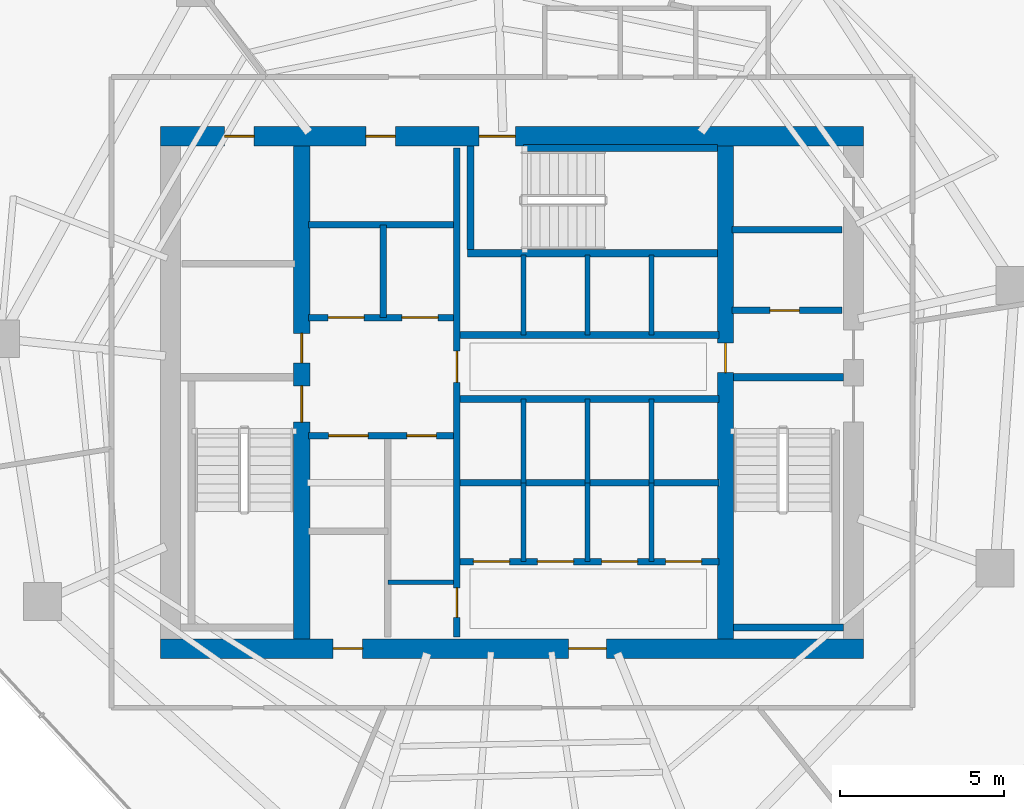
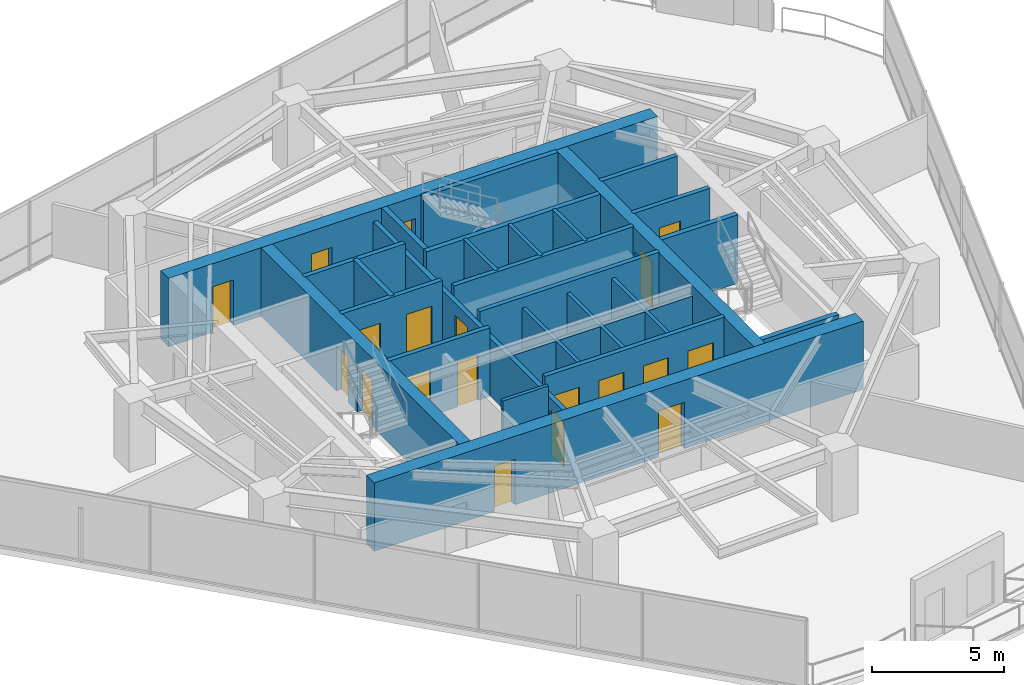
# One storey, part 19 of 23: 30 walls, 19 doors, 19 openings.
"""IFC4 building model written with IfcOpenShell, lengths in metres."""

from ifc_helpers import new_model, si_unit, direction, frame, frame_2d, origin, place, context, subcontext, project, spatial, rectangle, extrude, material, layer, layer_set, type_object, element, fill, save


model = new_model("IFC4")

# Units and contexts
model_context = context("Model", 3, precision=1e-05, world=origin(), true_north=direction((0.0, 1.0)))
body_context = subcontext(model_context, "Body", "Model", "MODEL_VIEW")
ifc_project = project(units=[si_unit("LENGTHUNIT", "METRE"), si_unit("AREAUNIT", "SQUARE_METRE"), si_unit("VOLUMEUNIT", "CUBIC_METRE"), si_unit("PLANEANGLEUNIT", "RADIAN"), si_unit("MASSUNIT", "GRAM", prefix="KILO")], contexts=[model_context])

# Site, building, storey
site_placement = place(None, origin())
site = spatial("IfcSite", under=ifc_project, at=site_placement, CompositionType="ELEMENT")
building_placement = place(site_placement, origin())
building = spatial("IfcBuilding", under=site, at=building_placement, Name="Qarnah Convention Tower", CompositionType="ELEMENT")
storey_placement = place(building_placement, frame((0.0, 0.0, 114.300048828125)))
storey = spatial("IfcBuildingStorey", under=building, at=storey_placement, Name="L30", CompositionType="ELEMENT", Elevation=114.300048828125)

# Wall, openings, doors
ifc_material_1 = material(Name="Concrete C60/75", Category="concrete")
ifc_layer_1 = layer(ifc_material_1, 0.60009765625)
ifc_layer_set_1 = layer_set([ifc_layer_1], Name="Concrete C60/75")
wall_type_1 = type_object("IfcWallType", Name="WL-CORE-600", PredefinedType="SHEAR", material=ifc_layer_set_1)
wall_1_placement = place(storey_placement, frame((26.5, 18.60009765625, 0.0), z_axis=(0.0, 0.0, 1.0), x_axis=(1.0, 0.0, 0.0)))
wall_1 = element("IfcWall", 1, at=wall_1_placement, inside=storey, type_object=wall_type_1, Name="L30 core south shear wall", PredefinedType="SHEAR", context=body_context, shape_type="SweptSolid", body=[
    extrude(rectangle(XDim=21.39990234375, YDim=0.60009765625, at=frame_2d((10.699951171875, 0.0))), origin(), (0.0, 0.0, 1.0), 3.169921875),
])
opening_1_placement = place(wall_1_placement, frame((12.425048828125, 0.0, 0.0)))
opening_1 = element("IfcOpeningElement", 2, at=opening_1_placement, cuts=wall_1, Name="Opening D-3007", PredefinedType="OPENING", context=body_context, shape_type="SweptSolid", body=[
    extrude(rectangle(XDim=1.14990234375, YDim=2.14990234375, at=frame_2d((0.574951171875, 1.074951171875))), frame((0.0, 0.31005859375, 0.0), z_axis=(0.0, -1.0, 0.0), x_axis=(1.0, 0.0, 0.0)), (0.0, 0.0, 1.0), 0.6201171875),
])
opening_2_placement = place(wall_1_placement, frame((5.25, 0.0, 0.0)))
opening_2 = element("IfcOpeningElement", 3, at=opening_2_placement, cuts=wall_1, Name="Opening D-3013", PredefinedType="OPENING", context=body_context, shape_type="SweptSolid", body=[
    extrude(rectangle(XDim=0.89990234375, YDim=2.10009765625, at=frame_2d((0.449951171875, 1.050048828125))), frame((0.0, 0.31005859375, 0.0), z_axis=(0.0, -1.0, 0.0), x_axis=(1.0, 0.0, 0.0)), (0.0, 0.0, 1.0), 0.6201171875),
])
ifc_material_2 = material(Name="Structural steel S355JR", Category="steel")
door_type_1 = type_object("IfcDoorType", Name="DT-LOBBY-1150", OperationType="NOTDEFINED", PredefinedType="DOOR", material=ifc_material_2)
door_1_placement = place(opening_1_placement, origin())
door_1 = element("IfcDoor", 4, at=door_1_placement, inside=storey, type_object=door_type_1, Name="Door D-3007", OperationType="SINGLE_SWING_RIGHT", OverallHeight=2.14990234375, OverallWidth=1.14990234375, PredefinedType="DOOR", context=body_context, shape_type="SweptSolid", body=[
    extrude(rectangle(XDim=1.14990234375, YDim=2.14990234375, at=frame_2d((0.574951171875, 1.074951171875))), frame((0.0, 0.02490234375, 0.0), z_axis=(0.0, -1.0, 0.0), x_axis=(1.0, 0.0, 0.0)), (0.0, 0.0, 1.0), 0.050048828125),
])
fill(opening_1, door_1)
door_type_2 = type_object("IfcDoorType", Name="DT-RISER-900", OperationType="NOTDEFINED", PredefinedType="DOOR", material=ifc_material_2)
door_2_placement = place(opening_2_placement, origin())
door_2 = element("IfcDoor", 5, at=door_2_placement, inside=storey, type_object=door_type_2, Name="Door D-3013", OperationType="SINGLE_SWING_RIGHT", OverallHeight=2.10009765625, OverallWidth=0.89990234375, PredefinedType="DOOR", context=body_context, shape_type="SweptSolid", body=[
    extrude(rectangle(XDim=0.89990234375, YDim=2.10009765625, at=frame_2d((0.449951171875, 1.050048828125))), frame((0.0, 0.02490234375, 0.0), z_axis=(0.0, -1.0, 0.0), x_axis=(1.0, 0.0, 0.0)), (0.0, 0.0, 1.0), 0.050048828125),
])
fill(opening_2, door_2)

wall_2_placement = place(storey_placement, frame((26.5, 34.199951171875, 0.0), z_axis=(0.0, 0.0, 1.0), x_axis=(1.0, 0.0, 0.0)))
wall_2 = element("IfcWall", 6, at=wall_2_placement, inside=storey, type_object=wall_type_1, Name="L30 core north shear wall", PredefinedType="SHEAR", context=body_context, shape_type="SweptSolid", body=[
    extrude(rectangle(XDim=21.39990234375, YDim=0.60009765625, at=frame_2d((10.699951171875, 0.0))), origin(), (0.0, 0.0, 1.0), 3.169921875),
])
opening_3_placement = place(wall_2_placement, frame((9.699951171875, 0.0, 0.0)))
opening_3 = element("IfcOpeningElement", 7, at=opening_3_placement, cuts=wall_2, Name="Opening D-3003", PredefinedType="OPENING", context=body_context, shape_type="SweptSolid", body=[
    extrude(rectangle(XDim=1.10009765625, YDim=2.14990234375, at=frame_2d((0.550048828125, 1.074951171875))), frame((0.0, 0.31005859375, 0.0), z_axis=(0.0, -1.0, 0.0), x_axis=(1.0, 0.0, 0.0)), (0.0, 0.0, 1.0), 0.6201171875),
])
opening_4_placement = place(wall_2_placement, frame((1.949951171875, 0.0, 0.0)))
opening_4 = element("IfcOpeningElement", 8, at=opening_4_placement, cuts=wall_2, Name="Opening D-3009", PredefinedType="OPENING", context=body_context, shape_type="SweptSolid", body=[
    extrude(rectangle(XDim=0.89990234375, YDim=2.10009765625, at=frame_2d((0.449951171875, 1.050048828125))), frame((0.0, 0.31005859375, 0.0), z_axis=(0.0, -1.0, 0.0), x_axis=(1.0, 0.0, 0.0)), (0.0, 0.0, 1.0), 0.6201171875),
])
opening_5_placement = place(wall_2_placement, frame((6.25, 0.0, 0.0)))
opening_5 = element("IfcOpeningElement", 9, at=opening_5_placement, cuts=wall_2, Name="Opening D-3010", PredefinedType="OPENING", context=body_context, shape_type="SweptSolid", body=[
    extrude(rectangle(XDim=0.89990234375, YDim=2.10009765625, at=frame_2d((0.449951171875, 1.050048828125))), frame((0.0, 0.31005859375, 0.0), z_axis=(0.0, -1.0, 0.0), x_axis=(1.0, 0.0, 0.0)), (0.0, 0.0, 1.0), 0.6201171875),
])
door_3_placement = place(opening_4_placement, origin())
door_3 = element("IfcDoor", 10, at=door_3_placement, inside=storey, type_object=door_type_2, Name="Door D-3009", OperationType="SINGLE_SWING_RIGHT", OverallHeight=2.10009765625, OverallWidth=0.89990234375, PredefinedType="DOOR", context=body_context, shape_type="SweptSolid", body=[
    extrude(rectangle(XDim=0.89990234375, YDim=2.10009765625, at=frame_2d((0.449951171875, 1.050048828125))), frame((0.0, 0.02490234375, 0.0), z_axis=(0.0, -1.0, 0.0), x_axis=(1.0, 0.0, 0.0)), (0.0, 0.0, 1.0), 0.050048828125),
])
fill(opening_4, door_3)
door_4_placement = place(opening_5_placement, origin())
door_4 = element("IfcDoor", 11, at=door_4_placement, inside=storey, type_object=door_type_2, Name="Door D-3010", OperationType="SINGLE_SWING_LEFT", OverallHeight=2.10009765625, OverallWidth=0.89990234375, PredefinedType="DOOR", context=body_context, shape_type="SweptSolid", body=[
    extrude(rectangle(XDim=0.89990234375, YDim=2.10009765625, at=frame_2d((0.449951171875, 1.050048828125))), frame((0.0, 0.02490234375, 0.0), z_axis=(0.0, -1.0, 0.0), x_axis=(1.0, 0.0, 0.0)), (0.0, 0.0, 1.0), 0.050048828125),
])
fill(opening_5, door_4)
door_type_3 = type_object("IfcDoorType", Name="DT-STAIR-1100", OperationType="NOTDEFINED", PredefinedType="DOOR", material=ifc_material_2)
door_5_placement = place(opening_3_placement, origin())
door_5 = element("IfcDoor", 12, at=door_5_placement, inside=storey, type_object=door_type_3, Name="Door D-3003", OperationType="SINGLE_SWING_RIGHT", OverallHeight=2.14990234375, OverallWidth=1.10009765625, PredefinedType="DOOR", context=body_context, shape_type="SweptSolid", body=[
    extrude(rectangle(XDim=1.10009765625, YDim=2.14990234375, at=frame_2d((0.550048828125, 1.074951171875))), frame((0.0, 0.02490234375, 0.0), z_axis=(0.0, -1.0, 0.0), x_axis=(1.0, 0.0, 0.0)), (0.0, 0.0, 1.0), 0.050048828125),
])
fill(opening_3, door_5)

ifc_layer_2 = layer(ifc_material_1, 0.5)
ifc_layer_set_2 = layer_set([ifc_layer_2], Name="Concrete C60/75")
wall_type_2 = type_object("IfcWallType", Name="WL-CORE-INT-400", PredefinedType="SHEAR", material=ifc_layer_set_2)
wall_3_placement = place(storey_placement, frame((30.800048828125, 18.89990234375, 0.0), z_axis=(0.0, 0.0, 1.0), x_axis=(0.0, 1.0, 0.0)))
wall_3 = element("IfcWall", 13, at=wall_3_placement, inside=storey, type_object=wall_type_2, Name="L30 core west spine shear wall", PredefinedType="SHEAR", context=body_context, shape_type="SweptSolid", body=[
    extrude(rectangle(XDim=15.0, YDim=0.5, at=frame_2d((7.5, 0.0))), origin(), (0.0, 0.0, 1.0), 3.169921875),
])
opening_6_placement = place(wall_3_placement, frame((6.60009765625, 0.0, 0.0)))
opening_6 = element("IfcOpeningElement", 14, at=opening_6_placement, cuts=wall_3, Name="Opening D-3001", PredefinedType="OPENING", context=body_context, shape_type="SweptSolid", body=[
    extrude(rectangle(XDim=1.10009765625, YDim=2.14990234375, at=frame_2d((0.550048828125, 1.074951171875))), frame((0.0, 0.260009765625, 0.0), z_axis=(0.0, -1.0, 0.0), x_axis=(1.0, 0.0, 0.0)), (0.0, 0.0, 1.0), 0.52001953125),
])
opening_7_placement = place(wall_3_placement, frame((8.39990234375, 0.0, 0.0)))
opening_7 = element("IfcOpeningElement", 15, at=opening_7_placement, cuts=wall_3, Name="Opening D-3008", PredefinedType="OPENING", context=body_context, shape_type="SweptSolid", body=[
    extrude(rectangle(XDim=0.89990234375, YDim=2.10009765625, at=frame_2d((0.449951171875, 1.050048828125))), frame((0.0, 0.260009765625, 0.0), z_axis=(0.0, -1.0, 0.0), x_axis=(1.0, 0.0, 0.0)), (0.0, 0.0, 1.0), 0.52001953125),
])
door_6_placement = place(opening_7_placement, origin())
door_6 = element("IfcDoor", 16, at=door_6_placement, inside=storey, type_object=door_type_2, Name="Door D-3008", OperationType="SINGLE_SWING_LEFT", OverallHeight=2.10009765625, OverallWidth=0.89990234375, PredefinedType="DOOR", context=body_context, shape_type="SweptSolid", body=[
    extrude(rectangle(XDim=0.89990234375, YDim=2.10009765625, at=frame_2d((0.449951171875, 1.050048828125))), frame((0.0, 0.02490234375, 0.0), z_axis=(0.0, -1.0, 0.0), x_axis=(1.0, 0.0, 0.0)), (0.0, 0.0, 1.0), 0.050048828125),
])
fill(opening_7, door_6)
door_7_placement = place(opening_6_placement, origin())
door_7 = element("IfcDoor", 17, at=door_7_placement, inside=storey, type_object=door_type_3, Name="Door D-3001", OperationType="SINGLE_SWING_RIGHT", OverallHeight=2.14990234375, OverallWidth=1.10009765625, PredefinedType="DOOR", context=body_context, shape_type="SweptSolid", body=[
    extrude(rectangle(XDim=1.10009765625, YDim=2.14990234375, at=frame_2d((0.550048828125, 1.074951171875))), frame((0.0, 0.02490234375, 0.0), z_axis=(0.0, -1.0, 0.0), x_axis=(1.0, 0.0, 0.0)), (0.0, 0.0, 1.0), 0.050048828125),
])
fill(opening_6, door_7)

# Wall, opening, door
wall_4_placement = place(storey_placement, frame((43.699951171875, 18.89990234375, 0.0), z_axis=(0.0, 0.0, 1.0), x_axis=(0.0, 1.0, 0.0)))
wall_4 = element("IfcWall", 18, at=wall_4_placement, inside=storey, type_object=wall_type_2, Name="L30 core east spine shear wall", PredefinedType="SHEAR", context=body_context, shape_type="SweptSolid", body=[
    extrude(rectangle(XDim=15.0, YDim=0.5, at=frame_2d((7.5, 0.0))), origin(), (0.0, 0.0, 1.0), 3.169921875),
])
opening_8_placement = place(wall_4_placement, frame((8.10009765625, 0.0, 0.0)))
opening_8 = element("IfcOpeningElement", 19, at=opening_8_placement, cuts=wall_4, Name="Opening D-3005", PredefinedType="OPENING", context=body_context, shape_type="SweptSolid", body=[
    extrude(rectangle(XDim=0.89990234375, YDim=2.10009765625, at=frame_2d((0.449951171875, 1.050048828125))), frame((0.0, 0.260009765625, 0.0), z_axis=(0.0, -1.0, 0.0), x_axis=(1.0, 0.0, 0.0)), (0.0, 0.0, 1.0), 0.52001953125),
])
door_8_placement = place(opening_8_placement, origin())
door_8 = element("IfcDoor", 20, at=door_8_placement, inside=storey, type_object=door_type_2, Name="Door D-3005", OperationType="SINGLE_SWING_RIGHT", OverallHeight=2.10009765625, OverallWidth=0.89990234375, PredefinedType="DOOR", context=body_context, shape_type="SweptSolid", body=[
    extrude(rectangle(XDim=0.89990234375, YDim=2.10009765625, at=frame_2d((0.449951171875, 1.050048828125))), frame((0.0, 0.02490234375, 0.0), z_axis=(0.0, -1.0, 0.0), x_axis=(1.0, 0.0, 0.0)), (0.0, 0.0, 1.0), 0.050048828125),
])
fill(opening_8, door_8)

ifc_material_3 = material(Name="Concrete C45/55", Category="concrete")
ifc_layer_3 = layer(ifc_material_3, 0.199951171875)
ifc_layer_set_3 = layer_set([ifc_layer_3], Name="Concrete C45/55")
wall_type_3 = type_object("IfcWallType", Name="WL-CORE-PART-200", PredefinedType="SOLIDWALL", material=ifc_layer_set_3)
wall_5_placement = place(storey_placement, frame((43.89990234375, 28.89990234375, 0.0), z_axis=(0.0, 0.0, 1.0), x_axis=(1.0, 0.0, 0.0)))
wall_5 = element("IfcWall", 21, at=wall_5_placement, inside=storey, type_object=wall_type_3, Name="L30 interior wall IW-L30-EVSTN", PredefinedType="SOLIDWALL", context=body_context, shape_type="SweptSolid", body=[
    extrude(rectangle(XDim=3.35009765625, YDim=0.199951171875, at=frame_2d((1.675048828125, 0.0))), origin(), (0.0, 0.0, 1.0), 3.169921875),
])
opening_9_placement = place(wall_5_placement, frame((1.14990234375, 0.0, 0.0)))
opening_9 = element("IfcOpeningElement", 22, at=opening_9_placement, cuts=wall_5, Name="Opening D-3011", PredefinedType="OPENING", context=body_context, shape_type="SweptSolid", body=[
    extrude(rectangle(XDim=0.89990234375, YDim=2.10009765625, at=frame_2d((0.449951171875, 1.050048828125))), frame((0.0, 0.10986328125, 0.0), z_axis=(0.0, -1.0, 0.0), x_axis=(1.0, 0.0, 0.0)), (0.0, 0.0, 1.0), 0.219970703125),
])
door_9_placement = place(opening_9_placement, origin())
door_9 = element("IfcDoor", 23, at=door_9_placement, inside=storey, type_object=door_type_2, Name="Door D-3011", OperationType="SINGLE_SWING_RIGHT", OverallHeight=2.10009765625, OverallWidth=0.89990234375, PredefinedType="DOOR", context=body_context, shape_type="SweptSolid", body=[
    extrude(rectangle(XDim=0.89990234375, YDim=2.10009765625, at=frame_2d((0.449951171875, 1.050048828125))), frame((0.0, 0.02490234375, 0.0), z_axis=(0.0, -1.0, 0.0), x_axis=(1.0, 0.0, 0.0)), (0.0, 0.0, 1.0), 0.050048828125),
])
fill(opening_9, door_9)

# Wall
wall_6_placement = place(storey_placement, frame((43.89990234375, 31.35009765625, 0.0), z_axis=(0.0, 0.0, 1.0), x_axis=(1.0, 0.0, 0.0)))
element("IfcWall", 24, at=wall_6_placement, inside=storey, type_object=wall_type_3, Name="L30 interior wall IW-L30-WTRN", PredefinedType="SOLIDWALL", context=body_context, shape_type="SweptSolid", body=[
    extrude(rectangle(XDim=3.35009765625, YDim=0.199951171875, at=frame_2d((1.675048828125, 0.0))), origin(), (0.0, 0.0, 1.0), 3.169921875),
])

# Wall, openings, doors
wall_7_placement = place(storey_placement, frame((35.52001953125, 18.949951171875, 0.0), z_axis=(0.0, 0.0, 1.0), x_axis=(0.0, 1.0, 0.0)))
wall_7 = element("IfcWall", 25, at=wall_7_placement, inside=storey, type_object=wall_type_3, Name="L30 interior wall IW-L30-CSP", PredefinedType="SOLIDWALL", context=body_context, shape_type="SweptSolid", body=[
    extrude(rectangle(XDim=14.900146484375, YDim=0.199951171875, at=frame_2d((7.4501953125, 0.0))), origin(), (0.0, 0.0, 1.0), 2.69091796875),
])
opening_10_placement = place(wall_7_placement, frame((7.7548828125, 0.0, 0.0)))
opening_10 = element("IfcOpeningElement", 26, at=opening_10_placement, cuts=wall_7, Name="Opening D-3004", PredefinedType="OPENING", context=body_context, shape_type="SweptSolid", body=[
    extrude(rectangle(XDim=0.949951171875, YDim=2.14990234375, at=frame_2d((0.47509765625, 1.074951171875))), frame((0.0, 0.10986328125, 0.0), z_axis=(0.0, -1.0, 0.0), x_axis=(1.0, 0.0, 0.0)), (0.0, 0.0, 1.0), 0.219970703125),
])
opening_11_placement = place(wall_7_placement, frame((0.60009765625, 0.0, 0.0)))
opening_11 = element("IfcOpeningElement", 27, at=opening_11_placement, cuts=wall_7, Name="Opening D-3014", PredefinedType="OPENING", context=body_context, shape_type="SweptSolid", body=[
    extrude(rectangle(XDim=0.89990234375, YDim=2.10009765625, at=frame_2d((0.449951171875, 1.050048828125))), frame((0.0, 0.10986328125, 0.0), z_axis=(0.0, -1.0, 0.0), x_axis=(1.0, 0.0, 0.0)), (0.0, 0.0, 1.0), 0.219970703125),
])
ifc_material_4 = material(Name="Oak timber veneer", Category="wood")
door_type_4 = type_object("IfcDoorType", Name="DT-HOTEL-950", OperationType="NOTDEFINED", PredefinedType="DOOR", material=ifc_material_4)
door_10_placement = place(opening_10_placement, origin())
door_10 = element("IfcDoor", 28, at=door_10_placement, inside=storey, type_object=door_type_4, Name="Door D-3004", OperationType="SINGLE_SWING_LEFT", OverallHeight=2.14990234375, OverallWidth=0.949951171875, PredefinedType="DOOR", context=body_context, shape_type="SweptSolid", body=[
    extrude(rectangle(XDim=0.949951171875, YDim=2.14990234375, at=frame_2d((0.47509765625, 1.074951171875))), frame((0.0, 0.02490234375, 0.0), z_axis=(0.0, -1.0, 0.0), x_axis=(1.0, 0.0, 0.0)), (0.0, 0.0, 1.0), 0.050048828125),
])
fill(opening_10, door_10)
door_11_placement = place(opening_11_placement, origin())
door_11 = element("IfcDoor", 29, at=door_11_placement, inside=storey, type_object=door_type_2, Name="Door D-3014", OperationType="SINGLE_SWING_LEFT", OverallHeight=2.10009765625, OverallWidth=0.89990234375, PredefinedType="DOOR", context=body_context, shape_type="SweptSolid", body=[
    extrude(rectangle(XDim=0.89990234375, YDim=2.10009765625, at=frame_2d((0.449951171875, 1.050048828125))), frame((0.0, 0.02490234375, 0.0), z_axis=(0.0, -1.0, 0.0), x_axis=(1.0, 0.0, 0.0)), (0.0, 0.0, 1.0), 0.050048828125),
])
fill(opening_11, door_11)

wall_8_placement = place(storey_placement, frame((31.0, 28.679931640625, 0.0), z_axis=(0.0, 0.0, 1.0), x_axis=(1.0, 0.0, 0.0)))
wall_8 = element("IfcWall", 30, at=wall_8_placement, inside=storey, type_object=wall_type_3, Name="L30 interior wall IW-L30-FFLS", PredefinedType="SOLIDWALL", context=body_context, shape_type="SweptSolid", body=[
    extrude(rectangle(XDim=4.419921875, YDim=0.199951171875, at=frame_2d((2.2099609375, 0.0))), origin(), (0.0, 0.0, 1.0), 3.169921875),
])
opening_12_placement = place(wall_8_placement, frame((0.60009765625, 0.0, 0.0)))
opening_12 = element("IfcOpeningElement", 31, at=opening_12_placement, cuts=wall_8, Name="Opening LD-3001", PredefinedType="OPENING", context=body_context, shape_type="SweptSolid", body=[
    extrude(rectangle(XDim=1.10009765625, YDim=2.14990234375, at=frame_2d((0.550048828125, 1.074951171875))), frame((0.0, 0.10986328125, 0.0), z_axis=(0.0, -1.0, 0.0), x_axis=(1.0, 0.0, 0.0)), (0.0, 0.0, 1.0), 0.219970703125),
])
opening_13_placement = place(wall_8_placement, frame((2.85009765625, 0.0, 0.0)))
opening_13 = element("IfcOpeningElement", 32, at=opening_13_placement, cuts=wall_8, Name="Opening LD-3002", PredefinedType="OPENING", context=body_context, shape_type="SweptSolid", body=[
    extrude(rectangle(XDim=1.10009765625, YDim=2.14990234375, at=frame_2d((0.550048828125, 1.074951171875))), frame((0.0, 0.10986328125, 0.0), z_axis=(0.0, -1.0, 0.0), x_axis=(1.0, 0.0, 0.0)), (0.0, 0.0, 1.0), 0.219970703125),
])
door_type_5 = type_object("IfcDoorType", Name="DT-LIFT-1100", OperationType="SLIDING_TO_LEFT", PredefinedType="DOOR", material=ifc_material_2)
door_12_placement = place(opening_12_placement, origin())
door_12 = element("IfcDoor", 33, at=door_12_placement, inside=storey, type_object=door_type_5, Name="Door LD-3001", OperationType="SLIDING_TO_LEFT", OverallHeight=2.14990234375, OverallWidth=1.10009765625, PredefinedType="DOOR", context=body_context, shape_type="SweptSolid", body=[
    extrude(rectangle(XDim=1.10009765625, YDim=2.14990234375, at=frame_2d((0.550048828125, 1.074951171875))), frame((0.0, 0.02490234375, 0.0), z_axis=(0.0, -1.0, 0.0), x_axis=(1.0, 0.0, 0.0)), (0.0, 0.0, 1.0), 0.050048828125),
])
fill(opening_12, door_12)
door_13_placement = place(opening_13_placement, origin())
door_13 = element("IfcDoor", 34, at=door_13_placement, inside=storey, type_object=door_type_5, Name="Door LD-3002", OperationType="SLIDING_TO_LEFT", OverallHeight=2.14990234375, OverallWidth=1.10009765625, PredefinedType="DOOR", context=body_context, shape_type="SweptSolid", body=[
    extrude(rectangle(XDim=1.10009765625, YDim=2.14990234375, at=frame_2d((0.550048828125, 1.074951171875))), frame((0.0, 0.02490234375, 0.0), z_axis=(0.0, -1.0, 0.0), x_axis=(1.0, 0.0, 0.0)), (0.0, 0.0, 1.0), 0.050048828125),
])
fill(opening_13, door_13)

# Walls
wall_9_placement = place(storey_placement, frame((31.0, 31.5, 0.0), z_axis=(0.0, 0.0, 1.0), x_axis=(1.0, 0.0, 0.0)))
element("IfcWall", 35, at=wall_9_placement, inside=storey, type_object=wall_type_3, Name="L30 interior wall IW-L30-FFLN", PredefinedType="SOLIDWALL", context=body_context, shape_type="SweptSolid", body=[
    extrude(rectangle(XDim=4.419921875, YDim=0.199951171875, at=frame_2d((2.2099609375, 0.0))), origin(), (0.0, 0.0, 1.0), 3.169921875),
])
wall_10_placement = place(storey_placement, frame((33.280029296875, 28.679931640625, 0.0), z_axis=(0.0, 0.0, 1.0), x_axis=(0.0, 1.0, 0.0)))
element("IfcWall", 36, at=wall_10_placement, inside=storey, type_object=wall_type_3, Name="L30 interior wall IW-L30-FFLM", PredefinedType="SOLIDWALL", context=body_context, shape_type="SweptSolid", body=[
    extrude(rectangle(XDim=2.820068359375, YDim=0.199951171875, at=frame_2d((1.41015625, 0.0))), origin(), (0.0, 0.0, 1.0), 3.169921875),
])

# Wall, openings, doors
wall_11_placement = place(storey_placement, frame((31.0, 25.080078125, 0.0), z_axis=(0.0, 0.0, 1.0), x_axis=(1.0, 0.0, 0.0)))
wall_11 = element("IfcWall", 37, at=wall_11_placement, inside=storey, type_object=wall_type_3, Name="L30 interior wall IW-L30-FFLBS", PredefinedType="SOLIDWALL", context=body_context, shape_type="SweptSolid", body=[
    extrude(rectangle(XDim=4.419921875, YDim=0.199951171875, at=frame_2d((2.2099609375, 0.0))), origin(), (0.0, 0.0, 1.0), 3.169921875),
])
opening_14_placement = place(wall_11_placement, frame((3.0, 0.0, 0.0)))
opening_14 = element("IfcOpeningElement", 38, at=opening_14_placement, cuts=wall_11, Name="Opening D-3015", PredefinedType="OPENING", context=body_context, shape_type="SweptSolid", body=[
    extrude(rectangle(XDim=0.89990234375, YDim=2.10009765625, at=frame_2d((0.449951171875, 1.050048828125))), frame((0.0, 0.10986328125, 0.0), z_axis=(0.0, -1.0, 0.0), x_axis=(1.0, 0.0, 0.0)), (0.0, 0.0, 1.0), 0.219970703125),
])
opening_15_placement = place(wall_11_placement, frame((0.6201171875, 0.0, 0.0)))
opening_15 = element("IfcOpeningElement", 39, at=opening_15_placement, cuts=wall_11, Name="Opening LD-3003", PredefinedType="OPENING", context=body_context, shape_type="SweptSolid", body=[
    extrude(rectangle(XDim=1.199951171875, YDim=2.14990234375, at=frame_2d((0.60009765625, 1.074951171875))), frame((0.0, 0.10986328125, 0.0), z_axis=(0.0, -1.0, 0.0), x_axis=(1.0, 0.0, 0.0)), (0.0, 0.0, 1.0), 0.219970703125),
])
door_type_6 = type_object("IfcDoorType", Name="DT-LIFT-1200", OperationType="SLIDING_TO_LEFT", PredefinedType="DOOR", material=ifc_material_2)
door_14_placement = place(opening_15_placement, origin())
door_14 = element("IfcDoor", 40, at=door_14_placement, inside=storey, type_object=door_type_6, Name="Door LD-3003", OperationType="SLIDING_TO_LEFT", OverallHeight=2.14990234375, OverallWidth=1.199951171875, PredefinedType="DOOR", context=body_context, shape_type="SweptSolid", body=[
    extrude(rectangle(XDim=1.199951171875, YDim=2.14990234375, at=frame_2d((0.60009765625, 1.074951171875))), frame((0.0, 0.02490234375, 0.0), z_axis=(0.0, -1.0, 0.0), x_axis=(1.0, 0.0, 0.0)), (0.0, 0.0, 1.0), 0.050048828125),
])
fill(opening_15, door_14)
door_15_placement = place(opening_14_placement, origin())
door_15 = element("IfcDoor", 41, at=door_15_placement, inside=storey, type_object=door_type_2, Name="Door D-3015", OperationType="SINGLE_SWING_RIGHT", OverallHeight=2.10009765625, OverallWidth=0.89990234375, PredefinedType="DOOR", context=body_context, shape_type="SweptSolid", body=[
    extrude(rectangle(XDim=0.89990234375, YDim=2.10009765625, at=frame_2d((0.449951171875, 1.050048828125))), frame((0.0, 0.02490234375, 0.0), z_axis=(0.0, -1.0, 0.0), x_axis=(1.0, 0.0, 0.0)), (0.0, 0.0, 1.0), 0.050048828125),
])
fill(opening_14, door_15)

# Walls
for number, where, z_axis, x_axis, name in (
    (42, (35.6201171875, 28.14990234375, 0.0), (0.0, 0.0, 1.0), (1.0, 0.0, 0.0), "L30 interior wall IW-L30-PHS"),
    (43, (35.6201171875, 26.199951171875, 0.0), (0.0, 0.0, 1.0), (1.0, 0.0, 0.0), "L30 interior wall IW-L30-PMN"),
):
    element("IfcWall", number, at=place(storey_placement, frame(where, z_axis=z_axis, x_axis=x_axis)), inside=storey, type_object=wall_type_3, Name=name, PredefinedType="SOLIDWALL", context=body_context, shape_type="SweptSolid", body=[
        extrude(rectangle(XDim=7.8798828125, YDim=0.199951171875, at=frame_2d((3.93994140625, 0.0))), origin(), (0.0, 0.0, 1.0), 3.169921875),
    ])
wall_12_placement = place(storey_placement, frame((35.6201171875, 23.64990234375, 0.0), z_axis=(0.0, 0.0, 1.0), x_axis=(1.0, 0.0, 0.0)))
element("IfcWall", 44, at=wall_12_placement, inside=storey, type_object=wall_type_3, Name="L30 interior wall IW-L30-PMPL", PredefinedType="SOLIDWALL", context=body_context, shape_type="SweptSolid", body=[
    extrude(rectangle(XDim=7.8798828125, YDim=0.199951171875, at=frame_2d((3.93994140625, 0.0))), origin(), (0.0, 0.0, 1.0), 2.69091796875),
])

# Wall, openings, doors
wall_13_placement = place(storey_placement, frame((35.6201171875, 21.25, 0.0), z_axis=(0.0, 0.0, 1.0), x_axis=(1.0, 0.0, 0.0)))
wall_13 = element("IfcWall", 45, at=wall_13_placement, inside=storey, type_object=wall_type_3, Name="L30 interior wall IW-L30-PLS", PredefinedType="SOLIDWALL", context=body_context, shape_type="SweptSolid", body=[
    extrude(rectangle(XDim=7.8798828125, YDim=0.199951171875, at=frame_2d((3.93994140625, 0.0))), origin(), (0.0, 0.0, 1.0), 3.169921875),
])
opening_16_placement = place(wall_13_placement, frame((0.405029296875, 0.0, 0.0)))
opening_16 = element("IfcOpeningElement", 46, at=opening_16_placement, cuts=wall_13, Name="Opening LD-3004", PredefinedType="OPENING", context=body_context, shape_type="SweptSolid", body=[
    extrude(rectangle(XDim=1.10009765625, YDim=2.14990234375, at=frame_2d((0.550048828125, 1.074951171875))), frame((0.0, 0.10986328125, 0.0), z_axis=(0.0, -1.0, 0.0), x_axis=(1.0, 0.0, 0.0)), (0.0, 0.0, 1.0), 0.219970703125),
])
opening_17_placement = place(wall_13_placement, frame((2.35498046875, 0.0, 0.0)))
opening_17 = element("IfcOpeningElement", 47, at=opening_17_placement, cuts=wall_13, Name="Opening LD-3005", PredefinedType="OPENING", context=body_context, shape_type="SweptSolid", body=[
    extrude(rectangle(XDim=1.10009765625, YDim=2.14990234375, at=frame_2d((0.550048828125, 1.074951171875))), frame((0.0, 0.10986328125, 0.0), z_axis=(0.0, -1.0, 0.0), x_axis=(1.0, 0.0, 0.0)), (0.0, 0.0, 1.0), 0.219970703125),
])
opening_18_placement = place(wall_13_placement, frame((4.304931640625, 0.0, 0.0)))
opening_18 = element("IfcOpeningElement", 48, at=opening_18_placement, cuts=wall_13, Name="Opening LD-3006", PredefinedType="OPENING", context=body_context, shape_type="SweptSolid", body=[
    extrude(rectangle(XDim=1.10009765625, YDim=2.14990234375, at=frame_2d((0.550048828125, 1.074951171875))), frame((0.0, 0.10986328125, 0.0), z_axis=(0.0, -1.0, 0.0), x_axis=(1.0, 0.0, 0.0)), (0.0, 0.0, 1.0), 0.219970703125),
])
opening_19_placement = place(wall_13_placement, frame((6.2548828125, 0.0, 0.0)))
opening_19 = element("IfcOpeningElement", 49, at=opening_19_placement, cuts=wall_13, Name="Opening LD-3007", PredefinedType="OPENING", context=body_context, shape_type="SweptSolid", body=[
    extrude(rectangle(XDim=1.10009765625, YDim=2.14990234375, at=frame_2d((0.550048828125, 1.074951171875))), frame((0.0, 0.10986328125, 0.0), z_axis=(0.0, -1.0, 0.0), x_axis=(1.0, 0.0, 0.0)), (0.0, 0.0, 1.0), 0.219970703125),
])
door_16_placement = place(opening_16_placement, origin())
door_16 = element("IfcDoor", 50, at=door_16_placement, inside=storey, type_object=door_type_5, Name="Door LD-3004", OperationType="SLIDING_TO_LEFT", OverallHeight=2.14990234375, OverallWidth=1.10009765625, PredefinedType="DOOR", context=body_context, shape_type="SweptSolid", body=[
    extrude(rectangle(XDim=1.10009765625, YDim=2.14990234375, at=frame_2d((0.550048828125, 1.074951171875))), frame((0.0, 0.02490234375, 0.0), z_axis=(0.0, -1.0, 0.0), x_axis=(1.0, 0.0, 0.0)), (0.0, 0.0, 1.0), 0.050048828125),
])
fill(opening_16, door_16)
door_17_placement = place(opening_17_placement, origin())
door_17 = element("IfcDoor", 51, at=door_17_placement, inside=storey, type_object=door_type_5, Name="Door LD-3005", OperationType="SLIDING_TO_LEFT", OverallHeight=2.14990234375, OverallWidth=1.10009765625, PredefinedType="DOOR", context=body_context, shape_type="SweptSolid", body=[
    extrude(rectangle(XDim=1.10009765625, YDim=2.14990234375, at=frame_2d((0.550048828125, 1.074951171875))), frame((0.0, 0.02490234375, 0.0), z_axis=(0.0, -1.0, 0.0), x_axis=(1.0, 0.0, 0.0)), (0.0, 0.0, 1.0), 0.050048828125),
])
fill(opening_17, door_17)
door_18_placement = place(opening_18_placement, origin())
door_18 = element("IfcDoor", 52, at=door_18_placement, inside=storey, type_object=door_type_5, Name="Door LD-3006", OperationType="SLIDING_TO_LEFT", OverallHeight=2.14990234375, OverallWidth=1.10009765625, PredefinedType="DOOR", context=body_context, shape_type="SweptSolid", body=[
    extrude(rectangle(XDim=1.10009765625, YDim=2.14990234375, at=frame_2d((0.550048828125, 1.074951171875))), frame((0.0, 0.02490234375, 0.0), z_axis=(0.0, -1.0, 0.0), x_axis=(1.0, 0.0, 0.0)), (0.0, 0.0, 1.0), 0.050048828125),
])
fill(opening_18, door_18)
door_19_placement = place(opening_19_placement, origin())
door_19 = element("IfcDoor", 53, at=door_19_placement, inside=storey, type_object=door_type_5, Name="Door LD-3007", OperationType="SLIDING_TO_LEFT", OverallHeight=2.14990234375, OverallWidth=1.10009765625, PredefinedType="DOOR", context=body_context, shape_type="SweptSolid", body=[
    extrude(rectangle(XDim=1.10009765625, YDim=2.14990234375, at=frame_2d((0.550048828125, 1.074951171875))), frame((0.0, 0.02490234375, 0.0), z_axis=(0.0, -1.0, 0.0), x_axis=(1.0, 0.0, 0.0)), (0.0, 0.0, 1.0), 0.050048828125),
])
fill(opening_19, door_19)

# Walls
ifc_layer_4 = layer(ifc_material_1, 0.219970703125)
ifc_layer_set_4 = layer_set([ifc_layer_4], Name="Concrete C60/75")
wall_type_4 = type_object("IfcWallType", Name="WL-CORE-STAIR-220", PredefinedType="SHEAR", material=ifc_layer_set_4)
for number, where, z_axis, x_axis, name in (
    (54, (43.949951171875, 26.860107421875, 0.0), (0.0, 0.0, 1.0), (1.0, 0.0, 0.0), "L30 stair shaft shear wall SW-L30-ST2N"),
    (55, (43.949951171875, 19.239990234375, 0.0), (0.0, 0.0, 1.0), (1.0, 0.0, 0.0), "L30 stair shaft shear wall SW-L30-ST2S"),
):
    element("IfcWall", number, at=place(storey_placement, frame(where, z_axis=z_axis, x_axis=x_axis)), inside=storey, type_object=wall_type_4, Name=name, PredefinedType="SHEAR", context=body_context, shape_type="SweptSolid", body=[
        extrude(rectangle(XDim=3.35009765625, YDim=0.219970703125, at=frame_2d((1.675048828125, 0.0))), origin(), (0.0, 0.0, 1.0), 3.169921875),
    ])
wall_14_placement = place(storey_placement, frame((35.840087890625, 30.639892578125, 0.0), z_axis=(0.0, 0.0, 1.0), x_axis=(1.0, 0.0, 0.0)))
element("IfcWall", 56, at=wall_14_placement, inside=storey, type_object=wall_type_4, Name="L30 stair shaft shear wall SW-L30-ST3S", PredefinedType="SHEAR", context=body_context, shape_type="SweptSolid", body=[
    extrude(rectangle(XDim=7.60986328125, YDim=0.219970703125, at=frame_2d((3.804931640625, 0.0))), origin(), (0.0, 0.0, 1.0), 3.169921875),
])
wall_15_placement = place(storey_placement, frame((35.93994140625, 30.75, 0.0), z_axis=(0.0, 0.0, 1.0), x_axis=(0.0, 1.0, 0.0)))
element("IfcWall", 57, at=wall_15_placement, inside=storey, type_object=wall_type_4, Name="L30 stair shaft shear wall SW-L30-ST3W", PredefinedType="SHEAR", context=body_context, shape_type="SweptSolid", body=[
    extrude(rectangle(XDim=3.14990234375, YDim=0.219970703125, at=frame_2d((1.574951171875, 0.0))), origin(), (0.0, 0.0, 1.0), 3.169921875),
])
wall_16_placement = place(storey_placement, frame((37.550048828125, 33.840087890625, 0.0), z_axis=(0.0, 0.0, 1.0), x_axis=(1.0, 0.0, 0.0)))
element("IfcWall", 58, at=wall_16_placement, inside=storey, type_object=wall_type_4, Name="L30 stair shaft shear wall SW-L30-ST3N", PredefinedType="SHEAR", context=body_context, shape_type="SweptSolid", body=[
    extrude(rectangle(XDim=5.89990234375, YDim=0.219970703125, at=frame_2d((2.949951171875, 0.0))), origin(), (0.0, 0.0, 1.0), 3.169921875),
])
ifc_material_5 = material(Name="Gypsum partition board")
ifc_layer_5 = layer(ifc_material_5, 0.14990234375)
ifc_layer_set_5 = layer_set([ifc_layer_5], Name="Gypsum partition board")
wall_type_5 = type_object("IfcWallType", Name="WL-SUITE-150", PredefinedType="PARTITIONING", material=ifc_layer_set_5)
wall_17_placement = place(storey_placement, frame((33.419921875, 20.6201171875, 0.0), z_axis=(0.0, 0.0, 1.0), x_axis=(1.0, 0.0, 0.0)))
element("IfcWall", 59, at=wall_17_placement, inside=storey, type_object=wall_type_5, Name="L30 interior wall IW-L30-CSV1", PredefinedType="PARTITIONING", context=body_context, shape_type="SweptSolid", body=[
    extrude(rectangle(XDim=2.0, YDim=0.14990234375, at=frame_2d((1.0, 0.0))), origin(), (0.0, 0.0, 1.0), 3.169921875),
])
for number, where, z_axis, x_axis, name in (
    (60, (37.550048828125, 28.14990234375, 0.0), (0.0, 0.0, 1.0), (0.0, 1.0, 0.0), "L30 interior wall IW-L30-PHD1"),
    (61, (39.5, 28.14990234375, 0.0), (0.0, 0.0, 1.0), (0.0, 1.0, 0.0), "L30 interior wall IW-L30-PHD2"),
    (62, (41.449951171875, 28.14990234375, 0.0), (0.0, 0.0, 1.0), (0.0, 1.0, 0.0), "L30 interior wall IW-L30-PHD3"),
):
    element("IfcWall", number, at=place(storey_placement, frame(where, z_axis=z_axis, x_axis=x_axis)), inside=storey, type_object=wall_type_5, Name=name, PredefinedType="PARTITIONING", context=body_context, shape_type="SweptSolid", body=[
        extrude(rectangle(XDim=2.43017578125, YDim=0.14990234375, at=frame_2d((1.215087890625, 0.0))), origin(), (0.0, 0.0, 1.0), 3.169921875),
    ])
for number, where, z_axis, x_axis, name in (
    (63, (37.550048828125, 23.64990234375, 0.0), (0.0, 0.0, 1.0), (0.0, 1.0, 0.0), "L30 interior wall IW-L30-PMD1"),
    (64, (39.5, 23.64990234375, 0.0), (0.0, 0.0, 1.0), (0.0, 1.0, 0.0), "L30 interior wall IW-L30-PMD2"),
    (65, (41.449951171875, 23.64990234375, 0.0), (0.0, 0.0, 1.0), (0.0, 1.0, 0.0), "L30 interior wall IW-L30-PMD3"),
):
    element("IfcWall", number, at=place(storey_placement, frame(where, z_axis=z_axis, x_axis=x_axis)), inside=storey, type_object=wall_type_5, Name=name, PredefinedType="PARTITIONING", context=body_context, shape_type="SweptSolid", body=[
        extrude(rectangle(XDim=2.550048828125, YDim=0.14990234375, at=frame_2d((1.27490234375, 0.0))), origin(), (0.0, 0.0, 1.0), 2.69091796875),
    ])
for number, where, z_axis, x_axis, name in (
    (66, (37.550048828125, 21.25, 0.0), (0.0, 0.0, 1.0), (0.0, 1.0, 0.0), "L30 interior wall IW-L30-PLD1"),
    (67, (39.5, 21.25, 0.0), (0.0, 0.0, 1.0), (0.0, 1.0, 0.0), "L30 interior wall IW-L30-PLD2"),
    (68, (41.449951171875, 21.25, 0.0), (0.0, 0.0, 1.0), (0.0, 1.0, 0.0), "L30 interior wall IW-L30-PLD3"),
):
    element("IfcWall", number, at=place(storey_placement, frame(where, z_axis=z_axis, x_axis=x_axis)), inside=storey, type_object=wall_type_5, Name=name, PredefinedType="PARTITIONING", context=body_context, shape_type="SweptSolid", body=[
        extrude(rectangle(XDim=2.39990234375, YDim=0.14990234375, at=frame_2d((1.199951171875, 0.0))), origin(), (0.0, 0.0, 1.0), 2.69091796875),
    ])

save(model, "model.ifc")
